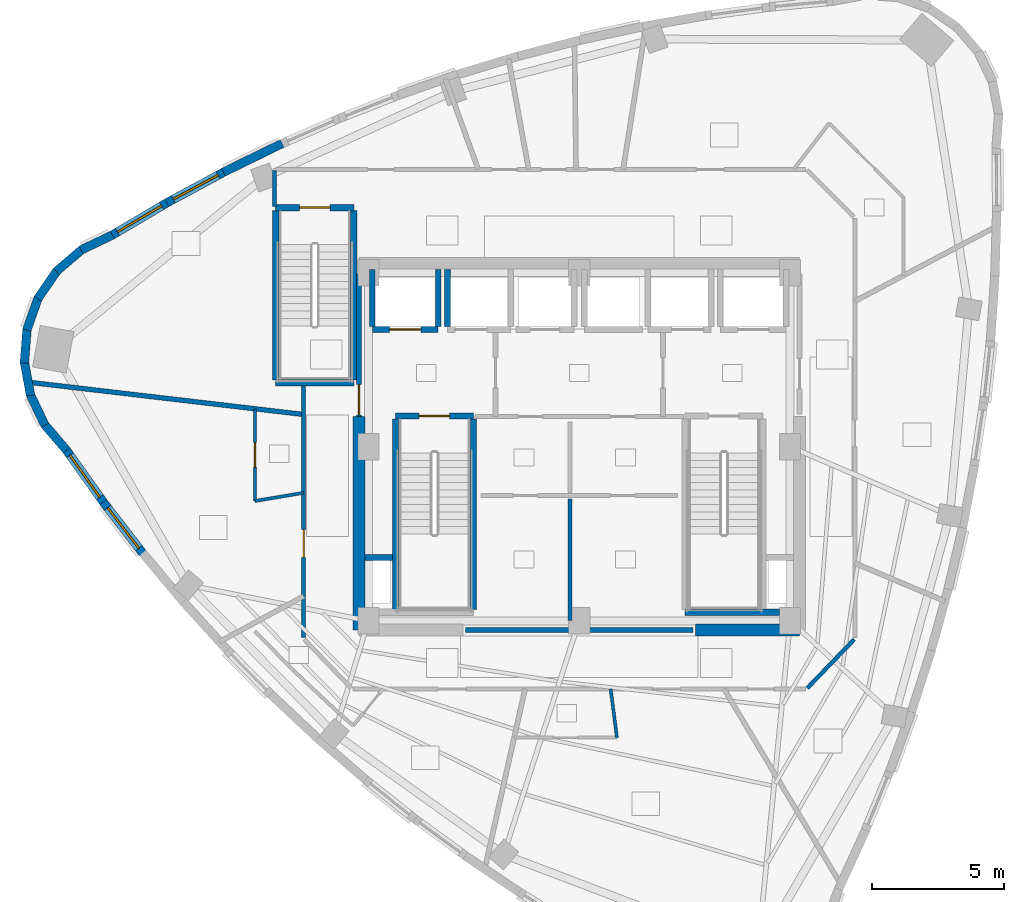
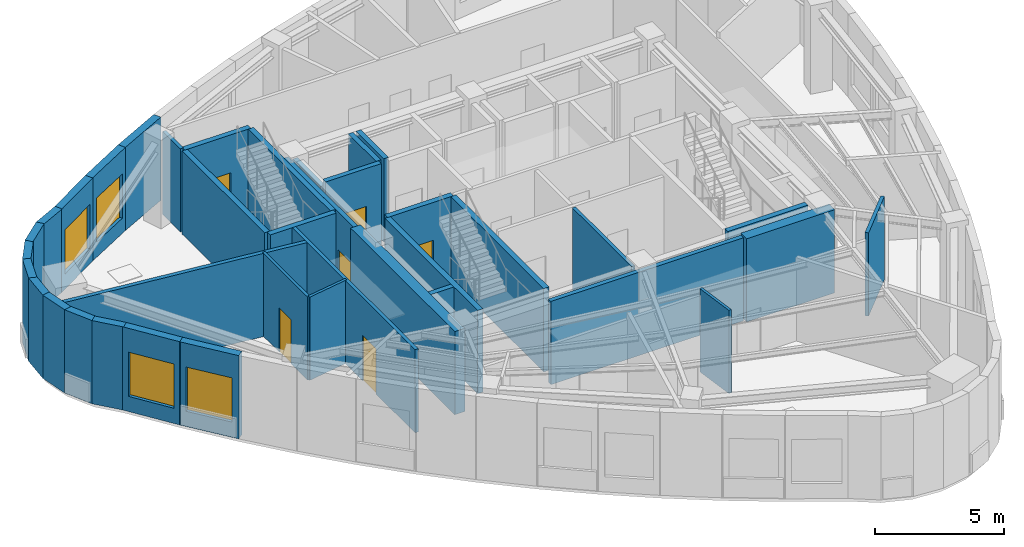
# One storey, part 3 of 9: 38 walls, 6 doors, 4 windows, 10 openings.
"""IFC4 building model written with IfcOpenShell, lengths in metres."""

from ifc_helpers import new_model, si_unit, direction, frame, frame_2d, origin, place, context, subcontext, project, spatial, rectangle, extrude, material, layer, layer_set, type_object, element, fill, save


model = new_model("IFC4")

# Units and contexts
model_context = context("Model", 3, precision=1e-05, world=origin(), true_north=direction((0.0, 1.0)))
body_context = subcontext(model_context, "Body", "Model", "MODEL_VIEW")
ifc_project = project(units=[si_unit("LENGTHUNIT", "METRE"), si_unit("AREAUNIT", "SQUARE_METRE"), si_unit("VOLUMEUNIT", "CUBIC_METRE"), si_unit("PLANEANGLEUNIT", "RADIAN"), si_unit("MASSUNIT", "GRAM", prefix="KILO")], contexts=[model_context])

# Site, building, storey
site_placement = place(None, origin())
site = spatial("IfcSite", under=ifc_project, at=site_placement, CompositionType="ELEMENT")
building_placement = place(site_placement, origin())
building = spatial("IfcBuilding", under=site, at=building_placement, Name="Ndelora Gate Hotel", CompositionType="ELEMENT")
storey_placement = place(building_placement, frame((0.0, 0.0, 268.60009765625)))
storey = spatial("IfcBuildingStorey", under=building, at=storey_placement, Name="L67", CompositionType="ELEMENT", Elevation=268.60009765625)

# Walls
ifc_material_1 = material(Name="Acoustic Double-Stud Gypsum Assembly", Category="gypsum")
ifc_layer_1 = layer(ifc_material_1, 0.179931640625)
ifc_layer_set_1 = layer_set([ifc_layer_1], Name="Acoustic Double-Stud Gypsum Assembly")
wall_type_1 = type_object("IfcWallType", Name="WL-ACOUST-180", PredefinedType="PARTITIONING", material=ifc_layer_set_1)
wall_1_placement = place(storey_placement, frame((-10.449951171875, 1.225830078125, 0.0), z_axis=(0.0, 0.0, 1.0), x_axis=(-0.993188711069, 0.116516883775, 0.0)))
element("IfcWall", 1, at=wall_1_placement, inside=storey, type_object=wall_type_1, Name="L67 Interior Wall IW-3", PredefinedType="PARTITIONING", context=body_context, shape_type="SweptSolid", body=[
    extrude(rectangle(XDim=10.52490234375, YDim=0.179931640625, at=frame_2d((5.262451171875, 0.0))), origin(), (0.0, 0.0, 1.0), 3.949951171875),
])
ifc_material_2 = material(Name="Clay Brick Masonry", Category="masonry")
ifc_layer_2 = layer(ifc_material_2, 0.330078125)
ifc_layer_set_2 = layer_set([ifc_layer_2], Name="Clay Brick Masonry")
wall_type_2 = type_object("IfcWallType", Name="WL-BRICK-330", PredefinedType="SOLIDWALL", material=ifc_layer_set_2)
for number, where, z_axis, x_axis, name in (
    (2, (-18.885498046875, 7.468505859375, 0.0), (0.0, 0.0, 1.0), (0.902555514619, 0.430573504794, 0.0), "L67 Tower Brick Pier-and-Spandrel Wall TWR-1"),
    (3, (-19.834716796875, 6.6494140625, 0.0), (0.0, 0.0, 1.0), (0.760392956728, 0.649463279453, 0.0), "L67 Tower Brick Pier-and-Spandrel Wall TWR-2"),
):
    element("IfcWall", number, at=place(storey_placement, frame(where, z_axis=z_axis, x_axis=x_axis)), inside=storey, type_object=wall_type_2, Name=name, PredefinedType="SOLIDWALL", context=body_context, shape_type="SweptSolid", body=[
        extrude(rectangle(XDim=1.302978515625, YDim=0.330078125, at=frame_2d((0.6513671875, 0.0))), origin(), (0.0, 0.0, 1.0), 3.949951171875),
    ])
for number, where, z_axis, x_axis, name in (
    (4, (-20.539794921875, 5.6123046875, 0.0), (0.0, 0.0, 1.0), (0.566489070283, 0.824069252703, 0.0), "L67 Tower Brick Pier-and-Spandrel Wall TWR-3"),
    (5, (-20.9521484375, 4.427978515625, 0.0), (0.0, 0.0, 1.0), (0.333819400431, 0.942637049927, 0.0), "L67 Tower Brick Pier-and-Spandrel Wall TWR-4"),
):
    element("IfcWall", number, at=place(storey_placement, frame(where, z_axis=z_axis, x_axis=x_axis)), inside=storey, type_object=wall_type_2, Name=name, PredefinedType="SOLIDWALL", context=body_context, shape_type="SweptSolid", body=[
        extrude(rectangle(XDim=1.30322265625, YDim=0.330078125, at=frame_2d((0.651611328125, 0.0))), origin(), (0.0, 0.0, 1.0), 3.949951171875),
    ])
wall_2_placement = place(storey_placement, frame((-21.044189453125, 3.177734375, 0.0), z_axis=(0.0, 0.0, 1.0), x_axis=(0.078516255123, 0.996912833542, 0.0)))
element("IfcWall", 6, at=wall_2_placement, inside=storey, type_object=wall_type_2, Name="L67 Tower Brick Pier-and-Spandrel Wall TWR-5", PredefinedType="SOLIDWALL", context=body_context, shape_type="SweptSolid", body=[
    extrude(rectangle(XDim=1.302734375, YDim=0.330078125, at=frame_2d((0.6513671875, 0.0))), origin(), (0.0, 0.0, 1.0), 3.949951171875),
])
for number, where, z_axis, x_axis, name in (
    (7, (-20.80908203125, 1.94580078125, 0.0), (0.0, 0.0, 1.0), (-0.182263659941, 0.983249692736, 0.0), "L67 Tower Brick Pier-and-Spandrel Wall TWR-6"),
    (8, (-20.263427734375, 0.81689453125, 0.0), (0.0, 0.0, 1.0), (-0.430653300408, 0.90251744296, 0.0), "L67 Tower Brick Pier-and-Spandrel Wall TWR-7"),
):
    element("IfcWall", number, at=place(storey_placement, frame(where, z_axis=z_axis, x_axis=x_axis)), inside=storey, type_object=wall_type_2, Name=name, PredefinedType="SOLIDWALL", context=body_context, shape_type="SweptSolid", body=[
        extrude(rectangle(XDim=1.30322265625, YDim=0.330078125, at=frame_2d((0.651611328125, 0.0))), origin(), (0.0, 0.0, 1.0), 3.949951171875),
    ])
wall_3_placement = place(storey_placement, frame((-19.4443359375, -0.13232421875, 0.0), z_axis=(0.0, 0.0, 1.0), x_axis=(-0.649463279453, 0.760392956728, 0.0)))
element("IfcWall", 9, at=wall_3_placement, inside=storey, type_object=wall_type_2, Name="L67 Tower Brick Pier-and-Spandrel Wall TWR-8", PredefinedType="SOLIDWALL", context=body_context, shape_type="SweptSolid", body=[
    extrude(rectangle(XDim=1.302978515625, YDim=0.330078125, at=frame_2d((0.6513671875, 0.0))), origin(), (0.0, 0.0, 1.0), 3.949951171875),
])

# Wall, opening, window
wall_4_placement = place(storey_placement, frame((-18.02197265625, -2.135498046875, 0.0), z_axis=(0.0, 0.0, 1.0), x_axis=(-0.579707768808, 0.814824461331, 0.0)))
wall_4 = element("IfcWall", 10, at=wall_4_placement, inside=storey, type_object=wall_type_2, Name="L67 Tower Brick Pier-and-Spandrel Wall TWR-9", PredefinedType="SOLIDWALL", context=body_context, shape_type="SweptSolid", body=[
    extrude(rectangle(XDim=2.506591796875, YDim=0.330078125, at=frame_2d((1.25341796875, 0.0))), origin(), (0.0, 0.0, 1.0), 3.949951171875),
])
opening_1_placement = place(wall_4_placement, frame((0.2783203125, 0.0, 0.719970703125)))
opening_1 = element("IfcOpeningElement", 11, at=opening_1_placement, cuts=wall_4, Name="Opening W08", PredefinedType="OPENING", context=body_context, shape_type="SweptSolid", body=[
    extrude(rectangle(XDim=1.949951171875, YDim=2.10009765625, at=frame_2d((0.97509765625, 1.050048828125))), frame((0.0, 0.175048828125, 0.0), z_axis=(0.0, -1.0, 0.0), x_axis=(1.0, 0.0, 0.0)), (0.0, 0.0, 1.0), 0.35009765625),
])
ifc_material_3 = material(Name="Insulated Low-E Double Glazing in Bronze Aluminium Frame", Category="aluminium")
window_type = type_object("IfcWindowType", Name="WN-PENT-2250", PartitioningType="SINGLE_PANEL", PredefinedType="WINDOW", material=ifc_material_3)
window_1_placement = place(opening_1_placement, origin())
window_1 = element("IfcWindow", 12, at=window_1_placement, inside=storey, type_object=window_type, Name="L67 Deep-Set Brick-Pier Window W08", OverallHeight=2.10009765625, OverallWidth=1.949951171875, PartitioningType="SINGLE_PANEL", PredefinedType="WINDOW", context=body_context, shape_type="SweptSolid", body=[
    extrude(rectangle(XDim=1.949951171875, YDim=2.10009765625, at=frame_2d((0.97509765625, 1.050048828125))), frame((0.0, 0.030029296875, 0.0), z_axis=(0.0, -1.0, 0.0), x_axis=(1.0, 0.0, 0.0)), (0.0, 0.0, 1.0), 0.06005859375),
])
fill(opening_1, window_1)

wall_5_placement = place(storey_placement, frame((-16.531982421875, -4.064453125, 0.0), z_axis=(0.0, 0.0, 1.0), x_axis=(-0.610966936387, 0.791656113879, 0.0)))
wall_5 = element("IfcWall", 13, at=wall_5_placement, inside=storey, type_object=wall_type_2, Name="L67 Tower Brick Pier-and-Spandrel Wall TWR-10", PredefinedType="SOLIDWALL", context=body_context, shape_type="SweptSolid", body=[
    extrude(rectangle(XDim=2.487548828125, YDim=0.330078125, at=frame_2d((1.24365234375, 0.0))), origin(), (0.0, 0.0, 1.0), 3.949951171875),
])
opening_2_placement = place(wall_5_placement, frame((0.278564453125, 0.0, 0.719970703125)))
opening_2 = element("IfcOpeningElement", 14, at=opening_2_placement, cuts=wall_5, Name="Opening W08", PredefinedType="OPENING", context=body_context, shape_type="SweptSolid", body=[
    extrude(rectangle(XDim=1.929931640625, YDim=2.10009765625, at=frame_2d((0.96484375, 1.050048828125))), frame((0.0, 0.175048828125, 0.0), z_axis=(0.0, -1.0, 0.0), x_axis=(1.0, 0.0, 0.0)), (0.0, 0.0, 1.0), 0.35009765625),
])
window_2_placement = place(opening_2_placement, origin())
window_2 = element("IfcWindow", 15, at=window_2_placement, inside=storey, type_object=window_type, Name="L67 Deep-Set Brick-Pier Window W08", OverallHeight=2.10009765625, OverallWidth=1.929931640625, PartitioningType="SINGLE_PANEL", PredefinedType="WINDOW", context=body_context, shape_type="SweptSolid", body=[
    extrude(rectangle(XDim=1.929931640625, YDim=2.10009765625, at=frame_2d((0.96484375, 1.050048828125))), frame((0.0, 0.030029296875, 0.0), z_axis=(0.0, -1.0, 0.0), x_axis=(1.0, 0.0, 0.0)), (0.0, 0.0, 1.0), 0.06005859375),
])
fill(opening_2, window_2)

# Wall
wall_6_placement = place(storey_placement, frame((-13.494140625, 10.414306640625, 0.0), z_axis=(0.0, 0.0, 1.0), x_axis=(0.898187681561, 0.43961220262, 0.0)))
element("IfcWall", 16, at=wall_6_placement, inside=storey, type_object=wall_type_2, Name="L67 Tower Brick Pier-and-Spandrel Wall TWR-58", PredefinedType="SOLIDWALL", context=body_context, shape_type="SweptSolid", body=[
    extrude(rectangle(XDim=2.471923828125, YDim=0.330078125, at=frame_2d((1.23583984375, 0.0))), origin(), (0.0, 0.0, 1.0), 3.949951171875),
])

# Wall, opening, window
wall_7_placement = place(storey_placement, frame((-15.638916015625, 9.25634765625, 0.0), z_axis=(0.0, 0.0, 1.0), x_axis=(0.880117873334, 0.474755230659, 0.0)))
wall_7 = element("IfcWall", 17, at=wall_7_placement, inside=storey, type_object=wall_type_2, Name="L67 Tower Brick Pier-and-Spandrel Wall TWR-59", PredefinedType="SOLIDWALL", context=body_context, shape_type="SweptSolid", body=[
    extrude(rectangle(XDim=2.4873046875, YDim=0.330078125, at=frame_2d((1.24365234375, 0.0))), origin(), (0.0, 0.0, 1.0), 3.949951171875),
])
opening_3_placement = place(wall_7_placement, frame((0.27880859375, 0.0, 0.719970703125)))
opening_3 = element("IfcOpeningElement", 18, at=opening_3_placement, cuts=wall_7, Name="Opening W08", PredefinedType="OPENING", context=body_context, shape_type="SweptSolid", body=[
    extrude(rectangle(XDim=1.929931640625, YDim=2.10009765625, at=frame_2d((0.96484375, 1.050048828125))), frame((0.0, 0.175048828125, 0.0), z_axis=(0.0, -1.0, 0.0), x_axis=(1.0, 0.0, 0.0)), (0.0, 0.0, 1.0), 0.35009765625),
])
window_3_placement = place(opening_3_placement, origin())
window_3 = element("IfcWindow", 19, at=window_3_placement, inside=storey, type_object=window_type, Name="L67 Deep-Set Brick-Pier Window W08", OverallHeight=2.10009765625, OverallWidth=1.929931640625, PartitioningType="SINGLE_PANEL", PredefinedType="WINDOW", context=body_context, shape_type="SweptSolid", body=[
    extrude(rectangle(XDim=1.929931640625, YDim=2.10009765625, at=frame_2d((0.96484375, 1.050048828125))), frame((0.0, 0.030029296875, 0.0), z_axis=(0.0, -1.0, 0.0), x_axis=(1.0, 0.0, 0.0)), (0.0, 0.0, 1.0), 0.06005859375),
])
fill(opening_3, window_3)

wall_8_placement = place(storey_placement, frame((-17.75341796875, 8.006103515625, 0.0), z_axis=(0.0, 0.0, 1.0), x_axis=(0.860971125789, 0.508653831754, 0.0)))
wall_8 = element("IfcWall", 20, at=wall_8_placement, inside=storey, type_object=wall_type_2, Name="L67 Tower Brick Pier-and-Spandrel Wall TWR-60", PredefinedType="SOLIDWALL", context=body_context, shape_type="SweptSolid", body=[
    extrude(rectangle(XDim=2.50634765625, YDim=0.330078125, at=frame_2d((1.253173828125, 0.0))), origin(), (0.0, 0.0, 1.0), 3.949951171875),
])
opening_4_placement = place(wall_8_placement, frame((0.2783203125, 0.0, 0.719970703125)))
opening_4 = element("IfcOpeningElement", 21, at=opening_4_placement, cuts=wall_8, Name="Opening W08", PredefinedType="OPENING", context=body_context, shape_type="SweptSolid", body=[
    extrude(rectangle(XDim=1.949951171875, YDim=2.10009765625, at=frame_2d((0.97509765625, 1.050048828125))), frame((0.0, 0.175048828125, 0.0), z_axis=(0.0, -1.0, 0.0), x_axis=(1.0, 0.0, 0.0)), (0.0, 0.0, 1.0), 0.35009765625),
])
window_4_placement = place(opening_4_placement, origin())
window_4 = element("IfcWindow", 22, at=window_4_placement, inside=storey, type_object=window_type, Name="L67 Deep-Set Brick-Pier Window W08", OverallHeight=2.10009765625, OverallWidth=1.949951171875, PartitioningType="SINGLE_PANEL", PredefinedType="WINDOW", context=body_context, shape_type="SweptSolid", body=[
    extrude(rectangle(XDim=1.949951171875, YDim=2.10009765625, at=frame_2d((0.97509765625, 1.050048828125))), frame((0.0, 0.030029296875, 0.0), z_axis=(0.0, -1.0, 0.0), x_axis=(1.0, 0.0, 0.0)), (0.0, 0.0, 1.0), 0.06005859375),
])
fill(opening_4, window_4)

# Walls
ifc_material_4 = material(Name="Concrete C50/60", Category="concrete")
ifc_layer_3 = layer(ifc_material_4, 0.449951171875)
ifc_layer_set_3 = layer_set([ifc_layer_3], Name="Concrete C50/60")
wall_type_3 = type_object("IfcWallType", Name="WL-CORE-450", PredefinedType="SHEAR", material=ifc_layer_set_3)
wall_9_placement = place(storey_placement, frame((4.39990234375, -6.949951171875, 0.0), z_axis=(0.0, 0.0, 1.0), x_axis=(1.0, 0.0, 0.0)))
element("IfcWall", 23, at=wall_9_placement, inside=storey, type_object=wall_type_3, Name="L67 Core Shear Wall S-E", PredefinedType="SHEAR", context=body_context, shape_type="SweptSolid", body=[
    extrude(rectangle(XDim=3.9501953125, YDim=0.449951171875, at=frame_2d((1.97509765625, 0.0))), origin(), (0.0, 0.0, 1.0), 3.949951171875),
])
wall_10_placement = place(storey_placement, frame((-8.35009765625, -6.949951171875, 0.0), z_axis=(0.0, 0.0, 1.0), x_axis=(0.0, 1.0, 0.0)))
element("IfcWall", 24, at=wall_10_placement, inside=storey, type_object=wall_type_3, Name="L67 Core Shear Wall W", PredefinedType="SHEAR", context=body_context, shape_type="SweptSolid", body=[
    extrude(rectangle(XDim=8.099853515625, YDim=0.449951171875, at=frame_2d((4.0498046875, 0.0))), origin(), (0.0, 0.0, 1.0), 3.949951171875),
])

# Wall, opening, door
ifc_material_5 = material(Name="Concrete C40/50", Category="concrete")
ifc_layer_4 = layer(ifc_material_5, 0.199951171875)
ifc_layer_set_4 = layer_set([ifc_layer_4], Name="Concrete C40/50")
wall_type_4 = type_object("IfcWallType", Name="WL-FIRE-200", PredefinedType="PARTITIONING", material=ifc_layer_set_4)
wall_11_placement = place(storey_placement, frame((-8.35009765625, 1.14990234375, 0.0), z_axis=(0.0, 0.0, 1.0), x_axis=(0.0, 1.0, 0.0)))
wall_11 = element("IfcWall", 25, at=wall_11_placement, inside=storey, type_object=wall_type_4, Name="L67 Interior Wall IW-2", PredefinedType="PARTITIONING", context=body_context, shape_type="SweptSolid", body=[
    extrude(rectangle(XDim=5.400146484375, YDim=0.199951171875, at=frame_2d((2.7001953125, 0.0))), origin(), (0.0, 0.0, 1.0), 3.949951171875),
])
opening_5_placement = place(wall_11_placement, frame((0.06005859375, 0.0, 0.0)))
opening_5 = element("IfcOpeningElement", 26, at=opening_5_placement, cuts=wall_11, Name="Opening FD1", PredefinedType="OPENING", context=body_context, shape_type="SweptSolid", body=[
    extrude(rectangle(XDim=1.14990234375, YDim=2.14990234375, at=frame_2d((0.574951171875, 1.074951171875))), frame((0.0, 0.10986328125, 0.0), z_axis=(0.0, -1.0, 0.0), x_axis=(1.0, 0.0, 0.0)), (0.0, 0.0, 1.0), 0.219970703125),
])
ifc_material_6 = material(Name="Fire-Rated Timber-Veneer Steel Core", Category="steel")
door_type_1 = type_object("IfcDoorType", Name="DR-FD60", OperationType="SINGLE_SWING_LEFT", PredefinedType="DOOR", material=ifc_material_6)
door_1_placement = place(opening_5_placement, origin())
door_1 = element("IfcDoor", 27, at=door_1_placement, inside=storey, type_object=door_type_1, Name="L67 Firefighting Lobby West Corridor Door", OperationType="SINGLE_SWING_LEFT", OverallHeight=2.14990234375, OverallWidth=1.14990234375, PredefinedType="DOOR", context=body_context, shape_type="SweptSolid", body=[
    extrude(rectangle(XDim=1.14990234375, YDim=2.14990234375, at=frame_2d((0.574951171875, 1.074951171875))), frame((0.0, 0.02490234375, 0.0), z_axis=(0.0, -1.0, 0.0), x_axis=(1.0, 0.0, 0.0)), (0.0, 0.0, 1.0), 0.050048828125),
])
fill(opening_5, door_1)

# Walls
wall_12_placement = place(storey_placement, frame((-4.320068359375, -6.949951171875, 0.0), z_axis=(0.0, 0.0, 1.0), x_axis=(1.0, 0.0, 0.0)))
element("IfcWall", 28, at=wall_12_placement, inside=storey, type_object=wall_type_4, Name="L67 Interior Wall IW-2", PredefinedType="PARTITIONING", context=body_context, shape_type="SweptSolid", body=[
    extrude(rectangle(XDim=8.64013671875, YDim=0.199951171875, at=frame_2d((4.320068359375, 0.0))), origin(), (0.0, 0.0, 1.0), 3.949951171875),
])
ifc_material_7 = material(Name="Fire-Rated Gypsum Stud Partition", Category="gypsum")
ifc_layer_5 = layer(ifc_material_7, 0.14990234375)
ifc_layer_set_5 = layer_set([ifc_layer_5], Name="Fire-Rated Gypsum Stud Partition")
wall_type_5 = type_object("IfcWallType", Name="WL-PART-150", PredefinedType="PARTITIONING", material=ifc_layer_set_5)
wall_13_placement = place(storey_placement, frame((-0.35009765625, -6.580078125, 0.0), z_axis=(0.0, 0.0, 1.0), x_axis=(0.0, 1.0, 0.0)))
element("IfcWall", 29, at=wall_13_placement, inside=storey, type_object=wall_type_5, Name="L67 Interior Wall IW-5", PredefinedType="PARTITIONING", context=body_context, shape_type="SweptSolid", body=[
    extrude(rectangle(XDim=4.610107421875, YDim=0.14990234375, at=frame_2d((2.30517578125, 0.0))), origin(), (0.0, 0.0, 1.0), 3.949951171875),
])
wall_14_placement = place(storey_placement, frame((10.42236328125, -7.308837890625, 0.0), z_axis=(0.0, 0.0, 1.0), x_axis=(-0.693764562202, -0.720201869085, 0.0)))
element("IfcWall", 30, at=wall_14_placement, inside=storey, type_object=wall_type_5, Name="L67 Interior Wall IW-5", PredefinedType="PARTITIONING", context=body_context, shape_type="SweptSolid", body=[
    extrude(rectangle(XDim=2.55810546875, YDim=0.14990234375, at=frame_2d((1.279052734375, 0.0))), origin(), (0.0, 0.0, 1.0), 3.949951171875),
])
wall_15_placement = place(storey_placement, frame((-11.550048828125, 9.110107421875, 0.0), z_axis=(0.0, 0.0, 1.0), x_axis=(0.0, 1.0, 0.0)))
element("IfcWall", 31, at=wall_15_placement, inside=storey, type_object=wall_type_5, Name="L67 Interior Wall IW-5", PredefinedType="PARTITIONING", context=body_context, shape_type="SweptSolid", body=[
    extrude(rectangle(XDim=1.369873046875, YDim=0.14990234375, at=frame_2d((0.68505859375, 0.0))), origin(), (0.0, 0.0, 1.0), 3.949951171875),
])

# Wall, opening, door
wall_16_placement = place(storey_placement, frame((-10.449951171875, -7.239990234375, 0.0), z_axis=(0.0, 0.0, 1.0), x_axis=(0.0, 1.0, 0.0)))
wall_16 = element("IfcWall", 32, at=wall_16_placement, inside=storey, type_object=wall_type_5, Name="L67 Interior Wall IW-5", PredefinedType="PARTITIONING", context=body_context, shape_type="SweptSolid", body=[
    extrude(rectangle(XDim=9.6298828125, YDim=0.14990234375, at=frame_2d((4.81494140625, 0.0))), origin(), (0.0, 0.0, 1.0), 3.949951171875),
])
opening_6_placement = place(wall_16_placement, frame((3.043212890625, 0.0, 0.0)))
opening_6 = element("IfcOpeningElement", 33, at=opening_6_placement, cuts=wall_16, Name="Opening D07", PredefinedType="OPENING", context=body_context, shape_type="SweptSolid", body=[
    extrude(rectangle(XDim=1.06005859375, YDim=2.14990234375, at=frame_2d((0.530029296875, 1.074951171875))), frame((0.0, 0.0849609375, 0.0), z_axis=(0.0, -1.0, 0.0), x_axis=(1.0, 0.0, 0.0)), (0.0, 0.0, 1.0), 0.169921875),
])
ifc_material_8 = material(Name="Diplomatic Suite Acoustic Entrance Door", Category="wood")
door_type_2 = type_object("IfcDoorType", Name="DR-SUITE-1060", OperationType="SINGLE_SWING_LEFT", PredefinedType="DOOR", material=ifc_material_8)
door_2_placement = place(opening_6_placement, origin())
door_2 = element("IfcDoor", 34, at=door_2_placement, inside=storey, type_object=door_type_2, Name="L67 Crown Summit Suite 7001 Entrance Door", OperationType="SINGLE_SWING_LEFT", OverallHeight=2.14990234375, OverallWidth=1.06005859375, PredefinedType="DOOR", context=body_context, shape_type="SweptSolid", body=[
    extrude(rectangle(XDim=1.06005859375, YDim=2.14990234375, at=frame_2d((0.530029296875, 1.074951171875))), frame((0.0, 0.02490234375, 0.0), z_axis=(0.0, -1.0, 0.0), x_axis=(1.0, 0.0, 0.0)), (0.0, 0.0, 1.0), 0.050048828125),
])
fill(opening_6, door_2)

# Wall
ifc_layer_6 = layer(ifc_material_5, 0.219970703125)
ifc_layer_set_6 = layer_set([ifc_layer_6], Name="Concrete C40/50")
wall_type_6 = type_object("IfcWallType", Name="WL-SHAFT-220", PredefinedType="PARTITIONING", material=ifc_layer_set_6)
wall_17_placement = place(storey_placement, frame((-8.125, -4.199951171875, 0.0), z_axis=(0.0, 0.0, 1.0), x_axis=(1.0, 0.0, 0.0)))
element("IfcWall", 35, at=wall_17_placement, inside=storey, type_object=wall_type_6, Name="L67 Interior Wall IW-1", PredefinedType="PARTITIONING", context=body_context, shape_type="SweptSolid", body=[
    extrude(rectangle(XDim=1.034912109375, YDim=0.219970703125, at=frame_2d((0.517578125, 0.0))), origin(), (0.0, 0.0, 1.0), 3.949951171875),
])

# Wall, opening, door
wall_18_placement = place(storey_placement, frame((-7.85009765625, 4.449951171875, 0.0), z_axis=(0.0, 0.0, 1.0), x_axis=(1.0, 0.0, 0.0)))
wall_18 = element("IfcWall", 36, at=wall_18_placement, inside=storey, type_object=wall_type_6, Name="L67 Interior Wall IW-1", PredefinedType="PARTITIONING", context=body_context, shape_type="SweptSolid", body=[
    extrude(rectangle(XDim=2.5, YDim=0.219970703125, at=frame_2d((1.25, 0.0))), origin(), (0.0, 0.0, 1.0), 3.949951171875),
])
opening_7_placement = place(wall_18_placement, frame((0.659912109375, 0.0, 0.0)))
opening_7 = element("IfcOpeningElement", 37, at=opening_7_placement, cuts=wall_18, Name="Opening LD5", PredefinedType="OPENING", context=body_context, shape_type="SweptSolid", body=[
    extrude(rectangle(XDim=1.179931640625, YDim=2.14990234375, at=frame_2d((0.58984375, 1.074951171875))), frame((0.0, 0.1201171875, 0.0), z_axis=(0.0, -1.0, 0.0), x_axis=(1.0, 0.0, 0.0)), (0.0, 0.0, 1.0), 0.239990234375),
])
ifc_material_9 = material(Name="Firefighting Lift Stainless Sliding Landing Door", Category="metal")
door_type_3 = type_object("IfcDoorType", Name="DR-LD5", OperationType="DOUBLE_DOOR_SLIDING", PredefinedType="DOOR", material=ifc_material_9)
door_3_placement = place(opening_7_placement, origin())
door_3 = element("IfcDoor", 38, at=door_3_placement, inside=storey, type_object=door_type_3, Name="L67 Lift Landing Sliding Door FFL1", OperationType="DOUBLE_DOOR_SLIDING", OverallHeight=2.14990234375, OverallWidth=1.179931640625, PredefinedType="DOOR", context=body_context, shape_type="SweptSolid", body=[
    extrude(rectangle(XDim=1.179931640625, YDim=2.14990234375, at=frame_2d((0.58984375, 1.074951171875))), frame((0.0, 0.02490234375, 0.0), z_axis=(0.0, -1.0, 0.0), x_axis=(1.0, 0.0, 0.0)), (0.0, 0.0, 1.0), 0.050048828125),
])
fill(opening_7, door_3)

# Walls
wall_19_placement = place(storey_placement, frame((-7.85009765625, 4.570068359375, 0.0), z_axis=(0.0, 0.0, 1.0), x_axis=(0.0, 1.0, 0.0)))
element("IfcWall", 39, at=wall_19_placement, inside=storey, type_object=wall_type_6, Name="L67 Interior Wall IW-1", PredefinedType="PARTITIONING", context=body_context, shape_type="SweptSolid", body=[
    extrude(rectangle(XDim=2.155029296875, YDim=0.219970703125, at=frame_2d((1.07763671875, 0.0))), origin(), (0.0, 0.0, 1.0), 3.6298828125),
])
for number, where, z_axis, x_axis, name in (
    (40, (-5.35009765625, 4.570068359375, 0.0), (0.0, 0.0, 1.0), (0.0, 1.0, 0.0), "L67 Interior Wall IW-1"),
    (41, (-5.0, 4.570068359375, 0.0), (0.0, 0.0, 1.0), (0.0, 1.0, 0.0), "L67 Interior Wall IW-1"),
):
    element("IfcWall", number, at=place(storey_placement, frame(where, z_axis=z_axis, x_axis=x_axis)), inside=storey, type_object=wall_type_6, Name=name, PredefinedType="PARTITIONING", context=body_context, shape_type="SweptSolid", body=[
        extrude(rectangle(XDim=2.155029296875, YDim=0.219970703125, at=frame_2d((1.07763671875, 0.0))), origin(), (0.0, 0.0, 1.0), 3.949951171875),
    ])
ifc_layer_7 = layer(ifc_material_4, 0.239990234375)
ifc_layer_set_7 = layer_set([ifc_layer_7], Name="Concrete C50/60")
wall_type_7 = type_object("IfcWallType", Name="WL-STAIR-240", PredefinedType="SHEAR", material=ifc_layer_set_7)
for number, where, z_axis, x_axis, name in (
    (42, (-6.969970703125, -6.159912109375, 0.0), (0.0, 0.0, 1.0), (0.0, 1.0, 0.0), "L67 Stair Core Shear Wall SW-ST"),
    (43, (-4.010009765625, -6.159912109375, 0.0), (0.0, 0.0, 1.0), (0.0, 1.0, 0.0), "L67 Stair Core Shear Wall SW-ST"),
):
    element("IfcWall", number, at=place(storey_placement, frame(where, z_axis=z_axis, x_axis=x_axis)), inside=storey, type_object=wall_type_7, Name=name, PredefinedType="SHEAR", context=body_context, shape_type="SweptSolid", body=[
        extrude(rectangle(XDim=7.219970703125, YDim=0.239990234375, at=frame_2d((3.60986328125, 0.0))), origin(), (0.0, 0.0, 1.0), 3.949951171875),
    ])

# Wall, opening, door
wall_20_placement = place(storey_placement, frame((-6.969970703125, 1.169921875, 0.0), z_axis=(0.0, 0.0, 1.0), x_axis=(1.0, 0.0, 0.0)))
wall_20 = element("IfcWall", 44, at=wall_20_placement, inside=storey, type_object=wall_type_7, Name="L67 Stair Core Shear Wall SW-ST", PredefinedType="SHEAR", context=body_context, shape_type="SweptSolid", body=[
    extrude(rectangle(XDim=2.9599609375, YDim=0.239990234375, at=frame_2d((1.47998046875, 0.0))), origin(), (0.0, 0.0, 1.0), 3.949951171875),
])
opening_8_placement = place(wall_20_placement, frame((0.89990234375, 0.0, 0.0)))
opening_8 = element("IfcOpeningElement", 45, at=opening_8_placement, cuts=wall_20, Name="Opening FD1", PredefinedType="OPENING", context=body_context, shape_type="SweptSolid", body=[
    extrude(rectangle(XDim=1.14990234375, YDim=2.14990234375, at=frame_2d((0.574951171875, 1.074951171875))), frame((0.0, 0.1298828125, 0.0), z_axis=(0.0, -1.0, 0.0), x_axis=(1.0, 0.0, 0.0)), (0.0, 0.0, 1.0), 0.260009765625),
])
door_4_placement = place(opening_8_placement, origin())
door_4 = element("IfcDoor", 46, at=door_4_placement, inside=storey, type_object=door_type_1, Name="L67 Exit Stair ST4 Door", OperationType="SINGLE_SWING_LEFT", OverallHeight=2.14990234375, OverallWidth=1.14990234375, PredefinedType="DOOR", context=body_context, shape_type="SweptSolid", body=[
    extrude(rectangle(XDim=1.14990234375, YDim=2.14990234375, at=frame_2d((0.574951171875, 1.074951171875))), frame((0.0, 0.02490234375, 0.0), z_axis=(0.0, -1.0, 0.0), x_axis=(1.0, 0.0, 0.0)), (0.0, 0.0, 1.0), 0.050048828125),
])
fill(opening_8, door_4)

# Walls
wall_21_placement = place(storey_placement, frame((4.010009765625, -6.27001953125, 0.0), z_axis=(0.0, 0.0, 1.0), x_axis=(1.0, 0.0, 0.0)))
element("IfcWall", 47, at=wall_21_placement, inside=storey, type_object=wall_type_7, Name="L67 Stair Core Shear Wall SW-ST", PredefinedType="SHEAR", context=body_context, shape_type="SweptSolid", body=[
    extrude(rectangle(XDim=3.590087890625, YDim=0.239990234375, at=frame_2d((1.794921875, 0.0))), origin(), (0.0, 0.0, 1.0), 3.949951171875),
])
wall_22_placement = place(storey_placement, frame((-11.510009765625, 2.5400390625, 0.0), z_axis=(0.0, 0.0, 1.0), x_axis=(0.0, 1.0, 0.0)))
element("IfcWall", 48, at=wall_22_placement, inside=storey, type_object=wall_type_7, Name="L67 Stair Core Shear Wall SW-ST", PredefinedType="SHEAR", context=body_context, shape_type="SweptSolid", body=[
    extrude(rectangle(XDim=6.419921875, YDim=0.239990234375, at=frame_2d((3.2099609375, 0.0))), origin(), (0.0, 0.0, 1.0), 3.949951171875),
])
wall_23_placement = place(storey_placement, frame((-11.510009765625, 2.429931640625, 0.0), z_axis=(0.0, 0.0, 1.0), x_axis=(1.0, 0.0, 0.0)))
element("IfcWall", 49, at=wall_23_placement, inside=storey, type_object=wall_type_7, Name="L67 Stair Core Shear Wall SW-ST", PredefinedType="SHEAR", context=body_context, shape_type="SweptSolid", body=[
    extrude(rectangle(XDim=2.9599609375, YDim=0.239990234375, at=frame_2d((1.47998046875, 0.0))), origin(), (0.0, 0.0, 1.0), 3.949951171875),
])
wall_24_placement = place(storey_placement, frame((-8.550048828125, 2.5400390625, 0.0), z_axis=(0.0, 0.0, 1.0), x_axis=(0.0, 1.0, 0.0)))
element("IfcWall", 50, at=wall_24_placement, inside=storey, type_object=wall_type_7, Name="L67 Stair Core Shear Wall SW-ST", PredefinedType="SHEAR", context=body_context, shape_type="SweptSolid", body=[
    extrude(rectangle(XDim=6.419921875, YDim=0.239990234375, at=frame_2d((3.2099609375, 0.0))), origin(), (0.0, 0.0, 1.0), 3.949951171875),
])

# Wall, opening, door
wall_25_placement = place(storey_placement, frame((-8.550048828125, 9.070068359375, 0.0), z_axis=(0.0, 0.0, 1.0), x_axis=(-1.0, 0.0, 0.0)))
wall_25 = element("IfcWall", 51, at=wall_25_placement, inside=storey, type_object=wall_type_7, Name="L67 Stair Core Shear Wall SW-ST", PredefinedType="SHEAR", context=body_context, shape_type="SweptSolid", body=[
    extrude(rectangle(XDim=2.9599609375, YDim=0.239990234375, at=frame_2d((1.47998046875, 0.0))), origin(), (0.0, 0.0, 1.0), 3.949951171875),
])
opening_9_placement = place(wall_25_placement, frame((0.89990234375, 0.0, 0.0)))
opening_9 = element("IfcOpeningElement", 52, at=opening_9_placement, cuts=wall_25, Name="Opening FD1", PredefinedType="OPENING", context=body_context, shape_type="SweptSolid", body=[
    extrude(rectangle(XDim=1.14990234375, YDim=2.14990234375, at=frame_2d((0.574951171875, 1.074951171875))), frame((0.0, 0.1298828125, 0.0), z_axis=(0.0, -1.0, 0.0), x_axis=(1.0, 0.0, 0.0)), (0.0, 0.0, 1.0), 0.260009765625),
])
door_5_placement = place(opening_9_placement, origin())
door_5 = element("IfcDoor", 53, at=door_5_placement, inside=storey, type_object=door_type_1, Name="L67 Stair ST6 Door", OperationType="SINGLE_SWING_LEFT", OverallHeight=2.14990234375, OverallWidth=1.14990234375, PredefinedType="DOOR", context=body_context, shape_type="SweptSolid", body=[
    extrude(rectangle(XDim=1.14990234375, YDim=2.14990234375, at=frame_2d((0.574951171875, 1.074951171875))), frame((0.0, 0.02490234375, 0.0), z_axis=(0.0, -1.0, 0.0), x_axis=(1.0, 0.0, 0.0)), (0.0, 0.0, 1.0), 0.050048828125),
])
fill(opening_9, door_5)

# Wall
ifc_material_10 = material(Name="Moisture-Resistant Bathroom Tile Partition", Category="gypsum")
ifc_layer_8 = layer(ifc_material_10, 0.1201171875)
ifc_layer_set_8 = layer_set([ifc_layer_8], Name="Moisture-Resistant Bathroom Tile Partition")
wall_type_8 = type_object("IfcWallType", Name="WL-WET-120", PredefinedType="PARTITIONING", material=ifc_layer_set_8)
wall_26_placement = place(storey_placement, frame((-12.300048828125, -2.053955078125, 0.0), z_axis=(0.0, 0.0, 1.0), x_axis=(0.986351677294, 0.164652266004, 0.0)))
element("IfcWall", 54, at=wall_26_placement, inside=storey, type_object=wall_type_8, Name="L67 Interior Wall IW-7", PredefinedType="PARTITIONING", context=body_context, shape_type="SweptSolid", body=[
    extrude(rectangle(XDim=1.875732421875, YDim=0.1201171875, at=frame_2d((0.93798828125, 0.0))), origin(), (0.0, 0.0, 1.0), 3.949951171875),
])

# Wall, opening, door
wall_27_placement = place(storey_placement, frame((-12.300048828125, -2.053955078125, 0.0), z_axis=(0.0, 0.0, 1.0), x_axis=(0.0, 1.0, 0.0)))
wall_27 = element("IfcWall", 55, at=wall_27_placement, inside=storey, type_object=wall_type_8, Name="L67 Interior Wall IW-7", PredefinedType="PARTITIONING", context=body_context, shape_type="SweptSolid", body=[
    extrude(rectangle(XDim=3.496826171875, YDim=0.1201171875, at=frame_2d((1.74853515625, 0.0))), origin(), (0.0, 0.0, 1.0), 3.949951171875),
])
opening_10_placement = place(wall_27_placement, frame((1.288330078125, 0.0, 0.0)))
opening_10 = element("IfcOpeningElement", 56, at=opening_10_placement, cuts=wall_27, Name="Opening D03", PredefinedType="OPENING", context=body_context, shape_type="SweptSolid", body=[
    extrude(rectangle(XDim=0.919921875, YDim=2.10009765625, at=frame_2d((0.4599609375, 1.050048828125))), frame((0.0, 0.070068359375, 0.0), z_axis=(0.0, -1.0, 0.0), x_axis=(1.0, 0.0, 0.0)), (0.0, 0.0, 1.0), 0.14013671875),
])
ifc_material_11 = material(Name="Moisture-Resistant Hardwood En-Suite Door", Category="wood")
door_type_4 = type_object("IfcDoorType", Name="DR-BATH-920", OperationType="SINGLE_SWING_LEFT", PredefinedType="DOOR", material=ifc_material_11)
door_6_placement = place(opening_10_placement, origin())
door_6 = element("IfcDoor", 57, at=door_6_placement, inside=storey, type_object=door_type_4, Name="L67 En-suite Bathroom 7001 Door", OperationType="SINGLE_SWING_RIGHT", OverallHeight=2.10009765625, OverallWidth=0.919921875, PredefinedType="DOOR", context=body_context, shape_type="SweptSolid", body=[
    extrude(rectangle(XDim=0.919921875, YDim=2.10009765625, at=frame_2d((0.4599609375, 1.050048828125))), frame((0.0, 0.02490234375, 0.0), z_axis=(0.0, -1.0, 0.0), x_axis=(1.0, 0.0, 0.0)), (0.0, 0.0, 1.0), 0.050048828125),
])
fill(opening_10, door_6)

# Wall
wall_28_placement = place(storey_placement, frame((1.190185546875, -9.179931640625, 0.0), z_axis=(0.0, 0.0, 1.0), x_axis=(0.128639829388, -0.991691380569, 0.0)))
element("IfcWall", 58, at=wall_28_placement, inside=storey, type_object=wall_type_8, Name="L67 Interior Wall IW-7", PredefinedType="PARTITIONING", context=body_context, shape_type="SweptSolid", body=[
    extrude(rectangle(XDim=1.865478515625, YDim=0.1201171875, at=frame_2d((0.9326171875, 0.0))), origin(), (0.0, 0.0, 1.0), 3.949951171875),
])

save(model, "model.ifc")
